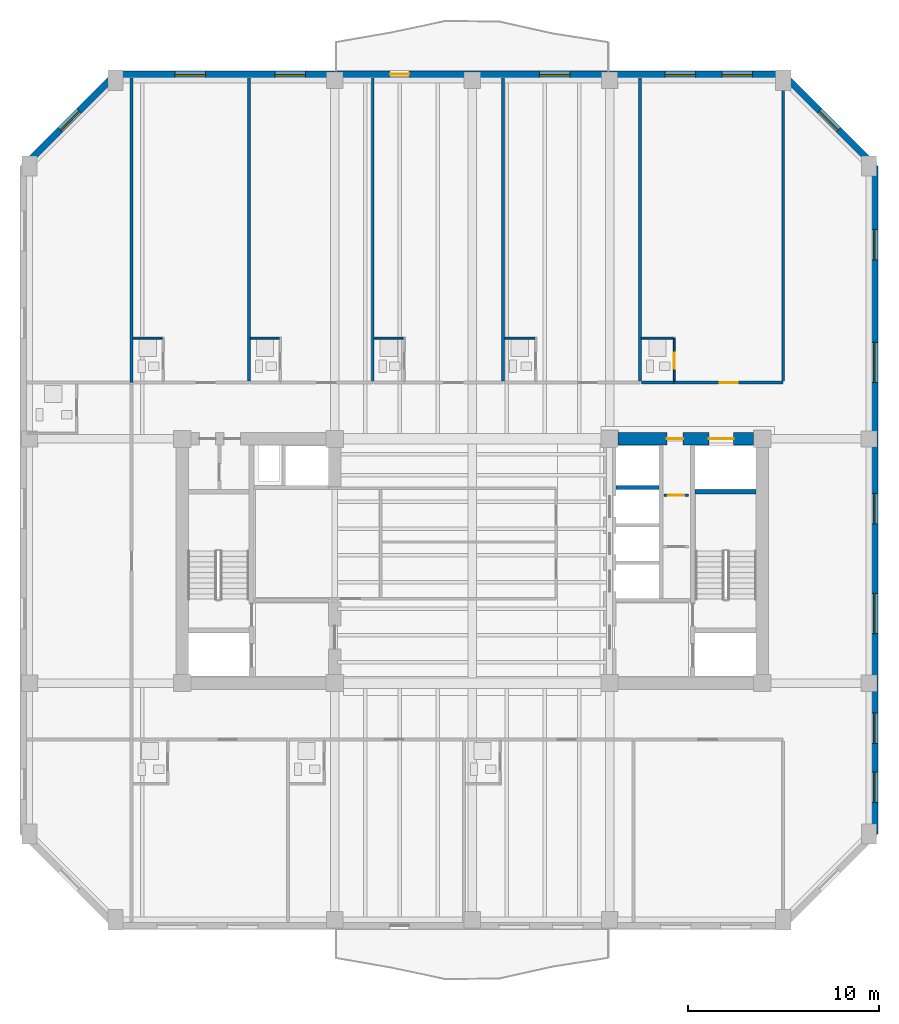
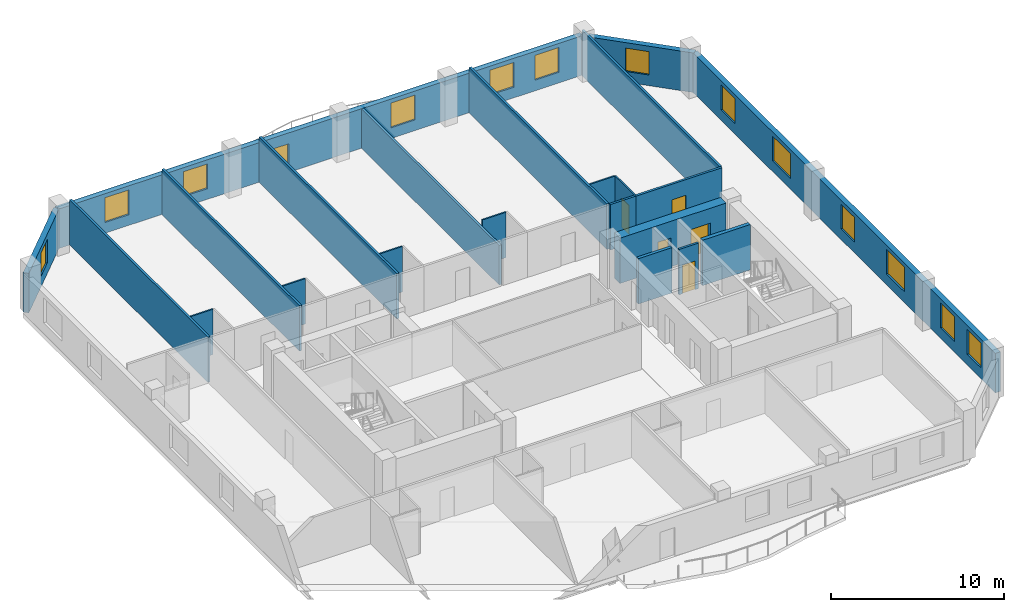
# One storey, part 5 of 10: 22 walls, 13 windows, 6 doors, 19 openings.
"""IFC4 building model written with IfcOpenShell, lengths in metres."""

from ifc_helpers import new_model, si_unit, direction, frame, frame_2d, origin, place, context, subcontext, project, spatial, rectangle, extrude, material, layer, layer_set, type_object, element, fill, save


model = new_model("IFC4")

# Units and contexts
model_context = context("Model", 3, precision=1e-05, world=origin(), true_north=direction((0.0, 1.0)))
body_context = subcontext(model_context, "Body", "Model", "MODEL_VIEW")
ifc_project = project(units=[si_unit("LENGTHUNIT", "METRE"), si_unit("AREAUNIT", "SQUARE_METRE"), si_unit("VOLUMEUNIT", "CUBIC_METRE"), si_unit("PLANEANGLEUNIT", "RADIAN"), si_unit("MASSUNIT", "GRAM", prefix="KILO")], contexts=[model_context])

# Site, building, storey
site_placement = place(None, origin())
site = spatial("IfcSite", under=ifc_project, at=site_placement, CompositionType="ELEMENT")
building_placement = place(site_placement, origin())
building = spatial("IfcBuilding", under=site, at=building_placement, Name="Kranthara Brick Stack", CompositionType="ELEMENT")
storey_placement = place(building_placement, frame((0.0, 0.0, 186.800048828125)))
storey = spatial("IfcBuildingStorey", under=building, at=storey_placement, Name="L48", CompositionType="ELEMENT", Elevation=186.800048828125)

# Wall, opening, window
ifc_material_1 = material(Name="Kiln-fired clay brick masonry M15", Category="masonry")
ifc_layer_1 = layer(ifc_material_1, 0.35009765625)
ifc_layer_set_1 = layer_set([ifc_layer_1], Name="Kiln-fired clay brick masonry M15")
wall_type_1 = type_object("IfcWallType", Name="WL-BRK-SPND-350", PredefinedType="STANDARD", material=ifc_layer_set_1)
wall_1_placement = place(storey_placement, frame((4.4951171875, 47.89990234375, 0.0), z_axis=(0.0, 0.0, 1.0), x_axis=(0.707088817216, 0.7071247447, 0.0)))
wall_1 = element("IfcWall", 1, at=wall_1_placement, inside=storey, type_object=wall_type_1, Name="L48 Exterior Brick Facade Wall NW 1", PredefinedType="STANDARD", context=body_context, shape_type="SweptSolid", body=[
    extrude(rectangle(XDim=6.79541015625, YDim=0.35009765625, at=frame_2d((3.397705078125, 0.0))), origin(), (0.0, 0.0, 1.0), 2.784912109375),
])
opening_1_placement = place(wall_1_placement, frame((2.697998046875, 0.0, 0.75)))
opening_1 = element("IfcOpeningElement", 2, at=opening_1_placement, cuts=wall_1, Name="Opening WN10", PredefinedType="OPENING", context=body_context, shape_type="SweptSolid", body=[
    extrude(rectangle(XDim=1.39990234375, YDim=1.64990234375, at=frame_2d((0.699951171875, 0.824951171875))), frame((0.0, 0.18505859375, 0.0), z_axis=(0.0, -1.0, 0.0), x_axis=(1.0, 0.0, 0.0)), (0.0, 0.0, 1.0), 0.3701171875),
])
ifc_material_2 = material(Name="Double-glazed low-E solar control glass", Category="glass")
window_type_1 = type_object("IfcWindowType", Name="WN-CHM-1400x1750", PartitioningType="SINGLE_PANEL", PredefinedType="WINDOW", material=ifc_material_2)
window_1_placement = place(opening_1_placement, origin())
window_1 = element("IfcWindow", 3, at=window_1_placement, inside=storey, type_object=window_type_1, Name="L48 NW Chamfer Corner Window", OverallHeight=1.64990234375, OverallWidth=1.39990234375, PartitioningType="SINGLE_PANEL", PredefinedType="WINDOW", context=body_context, shape_type="SweptSolid", body=[
    extrude(rectangle(XDim=1.39990234375, YDim=1.64990234375, at=frame_2d((0.699951171875, 0.824951171875))), frame((0.0, -0.010009765625, 0.0), z_axis=(0.0, -1.0, 0.0), x_axis=(1.0, 0.0, 0.0)), (0.0, 0.0, 1.0), 0.06005859375),
])
fill(opening_1, window_1)

# Wall, openings, door, windows
wall_2_placement = place(storey_placement, frame((9.300048828125, 52.705078125, 0.0), z_axis=(0.0, 0.0, 1.0), x_axis=(1.0, 0.0, 0.0)))
wall_2 = element("IfcWall", 4, at=wall_2_placement, inside=storey, type_object=wall_type_1, Name="L48 Exterior Brick Facade Wall NORTH 1", PredefinedType="STANDARD", context=body_context, shape_type="SweptSolid", body=[
    extrude(rectangle(XDim=35.0, YDim=0.35009765625, at=frame_2d((17.5, 0.0))), origin(), (0.0, 0.0, 1.0), 2.784912109375),
])
opening_2_placement = place(wall_2_placement, frame((14.39990234375, 0.0, 0.0)))
opening_2 = element("IfcOpeningElement", 5, at=opening_2_placement, cuts=wall_2, Name="Opening D03", PredefinedType="OPENING", context=body_context, shape_type="SweptSolid", body=[
    extrude(rectangle(XDim=1.0, YDim=2.02001953125, at=frame_2d((0.5, 1.010009765625))), frame((0.0, 0.18505859375, 0.0), z_axis=(0.0, -1.0, 0.0), x_axis=(1.0, 0.0, 0.0)), (0.0, 0.0, 1.0), 0.3701171875),
])
opening_3_placement = place(wall_2_placement, frame((3.123046875, 0.0, 0.75)))
opening_3 = element("IfcOpeningElement", 6, at=opening_3_placement, cuts=wall_2, Name="Opening WN04", PredefinedType="OPENING", context=body_context, shape_type="SweptSolid", body=[
    extrude(rectangle(XDim=1.60009765625, YDim=1.75, at=frame_2d((0.800048828125, 0.875))), frame((0.0, 0.18505859375, 0.0), z_axis=(0.0, -1.0, 0.0), x_axis=(1.0, 0.0, 0.0)), (0.0, 0.0, 1.0), 0.3701171875),
])
opening_4_placement = place(wall_2_placement, frame((8.361083984375, 0.0, 0.75)))
opening_4 = element("IfcOpeningElement", 7, at=opening_4_placement, cuts=wall_2, Name="Opening WN04", PredefinedType="OPENING", context=body_context, shape_type="SweptSolid", body=[
    extrude(rectangle(XDim=1.60009765625, YDim=1.75, at=frame_2d((0.800048828125, 0.875))), frame((0.0, 0.18505859375, 0.0), z_axis=(0.0, -1.0, 0.0), x_axis=(1.0, 0.0, 0.0)), (0.0, 0.0, 1.0), 0.3701171875),
])
opening_5_placement = place(wall_2_placement, frame((22.219970703125, 0.0, 0.75)))
opening_5 = element("IfcOpeningElement", 8, at=opening_5_placement, cuts=wall_2, Name="Opening WN04", PredefinedType="OPENING", context=body_context, shape_type="SweptSolid", body=[
    extrude(rectangle(XDim=1.60009765625, YDim=1.75, at=frame_2d((0.800048828125, 0.875))), frame((0.0, 0.18505859375, 0.0), z_axis=(0.0, -1.0, 0.0), x_axis=(1.0, 0.0, 0.0)), (0.0, 0.0, 1.0), 0.3701171875),
])
opening_6_placement = place(wall_2_placement, frame((28.80908203125, 0.0, 0.75)))
opening_6 = element("IfcOpeningElement", 9, at=opening_6_placement, cuts=wall_2, Name="Opening WN04", PredefinedType="OPENING", context=body_context, shape_type="SweptSolid", body=[
    extrude(rectangle(XDim=1.60009765625, YDim=1.75, at=frame_2d((0.800048828125, 0.875))), frame((0.0, 0.18505859375, 0.0), z_axis=(0.0, -1.0, 0.0), x_axis=(1.0, 0.0, 0.0)), (0.0, 0.0, 1.0), 0.3701171875),
])
opening_7_placement = place(wall_2_placement, frame((31.802978515625, 0.0, 0.75)))
opening_7 = element("IfcOpeningElement", 10, at=opening_7_placement, cuts=wall_2, Name="Opening WN04", PredefinedType="OPENING", context=body_context, shape_type="SweptSolid", body=[
    extrude(rectangle(XDim=1.60009765625, YDim=1.75, at=frame_2d((0.800048828125, 0.875))), frame((0.0, 0.18505859375, 0.0), z_axis=(0.0, -1.0, 0.0), x_axis=(1.0, 0.0, 0.0)), (0.0, 0.0, 1.0), 0.3701171875),
])
ifc_material_3 = material(Name="Bronze anodised aluminium and laminated glass", Category="aluminium")
door_type_1 = type_object("IfcDoorType", Name="DR-BALC-1000", OperationType="NOTDEFINED", PredefinedType="DOOR", material=ifc_material_3)
door_1_placement = place(opening_2_placement, origin())
door_1 = element("IfcDoor", 11, at=door_1_placement, inside=storey, type_object=door_type_1, Name="L48 North Balcony Terrace Door", OperationType="SINGLE_SWING_RIGHT", OverallHeight=2.02001953125, OverallWidth=1.0, PredefinedType="DOOR", context=body_context, shape_type="SweptSolid", body=[
    extrude(rectangle(XDim=1.0, YDim=2.02001953125, at=frame_2d((0.5, 1.010009765625))), frame((0.0, 0.02490234375, 0.0), z_axis=(0.0, -1.0, 0.0), x_axis=(1.0, 0.0, 0.0)), (0.0, 0.0, 1.0), 0.050048828125),
])
fill(opening_2, door_1)
ifc_material_4 = material(Name="Double-glazed low-E solar control glass", Category="glass")
window_type_2 = type_object("IfcWindowType", Name="WN-HTL-1600x1850", PartitioningType="DOUBLE_PANEL_VERTICAL", PredefinedType="WINDOW", material=ifc_material_4)
window_2_placement = place(opening_3_placement, origin())
window_2 = element("IfcWindow", 12, at=window_2_placement, inside=storey, type_object=window_type_2, Name="L48 North Deep-Set Brick Window 01", OverallHeight=1.75, OverallWidth=1.60009765625, PartitioningType="SINGLE_PANEL", PredefinedType="WINDOW", context=body_context, shape_type="SweptSolid", body=[
    extrude(rectangle(XDim=1.60009765625, YDim=1.75, at=frame_2d((0.800048828125, 0.875))), frame((0.0, -0.010009765625, 0.0), z_axis=(0.0, -1.0, 0.0), x_axis=(1.0, 0.0, 0.0)), (0.0, 0.0, 1.0), 0.06005859375),
])
fill(opening_3, window_2)
window_3_placement = place(opening_4_placement, origin())
window_3 = element("IfcWindow", 13, at=window_3_placement, inside=storey, type_object=window_type_2, Name="L48 North Deep-Set Brick Window 02", OverallHeight=1.75, OverallWidth=1.60009765625, PartitioningType="SINGLE_PANEL", PredefinedType="WINDOW", context=body_context, shape_type="SweptSolid", body=[
    extrude(rectangle(XDim=1.60009765625, YDim=1.75, at=frame_2d((0.800048828125, 0.875))), frame((0.0, -0.010009765625, 0.0), z_axis=(0.0, -1.0, 0.0), x_axis=(1.0, 0.0, 0.0)), (0.0, 0.0, 1.0), 0.06005859375),
])
fill(opening_4, window_3)
window_4_placement = place(opening_5_placement, origin())
window_4 = element("IfcWindow", 14, at=window_4_placement, inside=storey, type_object=window_type_2, Name="L48 North Deep-Set Brick Window 03", OverallHeight=1.75, OverallWidth=1.60009765625, PartitioningType="SINGLE_PANEL", PredefinedType="WINDOW", context=body_context, shape_type="SweptSolid", body=[
    extrude(rectangle(XDim=1.60009765625, YDim=1.75, at=frame_2d((0.800048828125, 0.875))), frame((0.0, -0.010009765625, 0.0), z_axis=(0.0, -1.0, 0.0), x_axis=(1.0, 0.0, 0.0)), (0.0, 0.0, 1.0), 0.06005859375),
])
fill(opening_5, window_4)
window_5_placement = place(opening_6_placement, origin())
window_5 = element("IfcWindow", 15, at=window_5_placement, inside=storey, type_object=window_type_2, Name="L48 North Deep-Set Brick Window 04", OverallHeight=1.75, OverallWidth=1.60009765625, PartitioningType="SINGLE_PANEL", PredefinedType="WINDOW", context=body_context, shape_type="SweptSolid", body=[
    extrude(rectangle(XDim=1.60009765625, YDim=1.75, at=frame_2d((0.800048828125, 0.875))), frame((0.0, -0.010009765625, 0.0), z_axis=(0.0, -1.0, 0.0), x_axis=(1.0, 0.0, 0.0)), (0.0, 0.0, 1.0), 0.06005859375),
])
fill(opening_6, window_5)
window_6_placement = place(opening_7_placement, origin())
window_6 = element("IfcWindow", 16, at=window_6_placement, inside=storey, type_object=window_type_2, Name="L48 North Deep-Set Brick Window 05", OverallHeight=1.75, OverallWidth=1.60009765625, PartitioningType="SINGLE_PANEL", PredefinedType="WINDOW", context=body_context, shape_type="SweptSolid", body=[
    extrude(rectangle(XDim=1.60009765625, YDim=1.75, at=frame_2d((0.800048828125, 0.875))), frame((0.0, -0.010009765625, 0.0), z_axis=(0.0, -1.0, 0.0), x_axis=(1.0, 0.0, 0.0)), (0.0, 0.0, 1.0), 0.06005859375),
])
fill(opening_7, window_6)

# Wall, opening, window
wall_3_placement = place(storey_placement, frame((44.300048828125, 52.705078125, 0.0), z_axis=(0.0, 0.0, 1.0), x_axis=(0.707088817216, -0.7071247447, 0.0)))
wall_3 = element("IfcWall", 17, at=wall_3_placement, inside=storey, type_object=wall_type_1, Name="L48 Exterior Brick Facade Wall NE 1", PredefinedType="STANDARD", context=body_context, shape_type="SweptSolid", body=[
    extrude(rectangle(XDim=6.79541015625, YDim=0.35009765625, at=frame_2d((3.397705078125, 0.0))), origin(), (0.0, 0.0, 1.0), 2.784912109375),
])
opening_8_placement = place(wall_3_placement, frame((2.697998046875, 0.0, 0.75)))
opening_8 = element("IfcOpeningElement", 18, at=opening_8_placement, cuts=wall_3, Name="Opening WN10", PredefinedType="OPENING", context=body_context, shape_type="SweptSolid", body=[
    extrude(rectangle(XDim=1.39990234375, YDim=1.64990234375, at=frame_2d((0.699951171875, 0.824951171875))), frame((0.0, 0.18505859375, 0.0), z_axis=(0.0, -1.0, 0.0), x_axis=(1.0, 0.0, 0.0)), (0.0, 0.0, 1.0), 0.3701171875),
])
window_7_placement = place(opening_8_placement, origin())
window_7 = element("IfcWindow", 19, at=window_7_placement, inside=storey, type_object=window_type_1, Name="L48 NE Chamfer Corner Window", OverallHeight=1.64990234375, OverallWidth=1.39990234375, PartitioningType="SINGLE_PANEL", PredefinedType="WINDOW", context=body_context, shape_type="SweptSolid", body=[
    extrude(rectangle(XDim=1.39990234375, YDim=1.64990234375, at=frame_2d((0.699951171875, 0.824951171875))), frame((0.0, -0.010009765625, 0.0), z_axis=(0.0, -1.0, 0.0), x_axis=(1.0, 0.0, 0.0)), (0.0, 0.0, 1.0), 0.06005859375),
])
fill(opening_8, window_7)

# Wall, openings, windows
wall_4_placement = place(storey_placement, frame((49.10498046875, 47.89990234375, 0.0), z_axis=(0.0, 0.0, 1.0), x_axis=(0.0, -1.0, 0.0)))
wall_4 = element("IfcWall", 20, at=wall_4_placement, inside=storey, type_object=wall_type_1, Name="L48 Exterior Brick Facade Wall EAST 1", PredefinedType="STANDARD", context=body_context, shape_type="SweptSolid", body=[
    extrude(rectangle(XDim=35.0, YDim=0.35009765625, at=frame_2d((17.5, 0.0))), origin(), (0.0, 0.0, 1.0), 2.784912109375),
])
opening_9_placement = place(wall_4_placement, frame((3.31591796875, 0.0, 0.75)))
opening_9 = element("IfcOpeningElement", 21, at=opening_9_placement, cuts=wall_4, Name="Opening WN04", PredefinedType="OPENING", context=body_context, shape_type="SweptSolid", body=[
    extrude(rectangle(XDim=1.60009765625, YDim=1.75, at=frame_2d((0.800048828125, 0.875))), frame((0.0, 0.18505859375, 0.0), z_axis=(0.0, -1.0, 0.0), x_axis=(1.0, 0.0, 0.0)), (0.0, 0.0, 1.0), 0.3701171875),
])
opening_10_placement = place(wall_4_placement, frame((9.23388671875, 0.0, 0.75)))
opening_10 = element("IfcOpeningElement", 22, at=opening_10_placement, cuts=wall_4, Name="Opening WN05", PredefinedType="OPENING", context=body_context, shape_type="SweptSolid", body=[
    extrude(rectangle(XDim=2.10009765625, YDim=1.75, at=frame_2d((1.050048828125, 0.875))), frame((0.0, 0.18505859375, 0.0), z_axis=(0.0, -1.0, 0.0), x_axis=(1.0, 0.0, 0.0)), (0.0, 0.0, 1.0), 0.3701171875),
])
opening_11_placement = place(wall_4_placement, frame((17.152099609375, 0.0, 0.75)))
opening_11 = element("IfcOpeningElement", 23, at=opening_11_placement, cuts=wall_4, Name="Opening WN04", PredefinedType="OPENING", context=body_context, shape_type="SweptSolid", body=[
    extrude(rectangle(XDim=1.60009765625, YDim=1.75, at=frame_2d((0.800048828125, 0.875))), frame((0.0, 0.18505859375, 0.0), z_axis=(0.0, -1.0, 0.0), x_axis=(1.0, 0.0, 0.0)), (0.0, 0.0, 1.0), 0.3701171875),
])
opening_12_placement = place(wall_4_placement, frame((22.39794921875, 0.0, 0.75)))
opening_12 = element("IfcOpeningElement", 24, at=opening_12_placement, cuts=wall_4, Name="Opening WN05", PredefinedType="OPENING", context=body_context, shape_type="SweptSolid", body=[
    extrude(rectangle(XDim=2.10009765625, YDim=1.75, at=frame_2d((1.050048828125, 0.875))), frame((0.0, 0.18505859375, 0.0), z_axis=(0.0, -1.0, 0.0), x_axis=(1.0, 0.0, 0.0)), (0.0, 0.0, 1.0), 0.3701171875),
])
opening_13_placement = place(wall_4_placement, frame((28.652099609375, 0.0, 0.75)))
opening_13 = element("IfcOpeningElement", 25, at=opening_13_placement, cuts=wall_4, Name="Opening WN04", PredefinedType="OPENING", context=body_context, shape_type="SweptSolid", body=[
    extrude(rectangle(XDim=1.60009765625, YDim=1.75, at=frame_2d((0.800048828125, 0.875))), frame((0.0, 0.18505859375, 0.0), z_axis=(0.0, -1.0, 0.0), x_axis=(1.0, 0.0, 0.0)), (0.0, 0.0, 1.0), 0.3701171875),
])
opening_14_placement = place(wall_4_placement, frame((31.748046875, 0.0, 0.75)))
opening_14 = element("IfcOpeningElement", 26, at=opening_14_placement, cuts=wall_4, Name="Opening WN04", PredefinedType="OPENING", context=body_context, shape_type="SweptSolid", body=[
    extrude(rectangle(XDim=1.60009765625, YDim=1.75, at=frame_2d((0.800048828125, 0.875))), frame((0.0, 0.18505859375, 0.0), z_axis=(0.0, -1.0, 0.0), x_axis=(1.0, 0.0, 0.0)), (0.0, 0.0, 1.0), 0.3701171875),
])
window_8_placement = place(opening_9_placement, origin())
window_8 = element("IfcWindow", 27, at=window_8_placement, inside=storey, type_object=window_type_2, Name="L48 East Deep-Set Brick Window 01", OverallHeight=1.75, OverallWidth=1.60009765625, PartitioningType="SINGLE_PANEL", PredefinedType="WINDOW", context=body_context, shape_type="SweptSolid", body=[
    extrude(rectangle(XDim=1.60009765625, YDim=1.75, at=frame_2d((0.800048828125, 0.875))), frame((0.0, -0.010009765625, 0.0), z_axis=(0.0, -1.0, 0.0), x_axis=(1.0, 0.0, 0.0)), (0.0, 0.0, 1.0), 0.06005859375),
])
fill(opening_9, window_8)
window_9_placement = place(opening_11_placement, origin())
window_9 = element("IfcWindow", 28, at=window_9_placement, inside=storey, type_object=window_type_2, Name="L48 East Deep-Set Brick Window 03", OverallHeight=1.75, OverallWidth=1.60009765625, PartitioningType="SINGLE_PANEL", PredefinedType="WINDOW", context=body_context, shape_type="SweptSolid", body=[
    extrude(rectangle(XDim=1.60009765625, YDim=1.75, at=frame_2d((0.800048828125, 0.875))), frame((0.0, -0.010009765625, 0.0), z_axis=(0.0, -1.0, 0.0), x_axis=(1.0, 0.0, 0.0)), (0.0, 0.0, 1.0), 0.06005859375),
])
fill(opening_11, window_9)
window_10_placement = place(opening_13_placement, origin())
window_10 = element("IfcWindow", 29, at=window_10_placement, inside=storey, type_object=window_type_2, Name="L48 East Deep-Set Brick Window 05", OverallHeight=1.75, OverallWidth=1.60009765625, PartitioningType="SINGLE_PANEL", PredefinedType="WINDOW", context=body_context, shape_type="SweptSolid", body=[
    extrude(rectangle(XDim=1.60009765625, YDim=1.75, at=frame_2d((0.800048828125, 0.875))), frame((0.0, -0.010009765625, 0.0), z_axis=(0.0, -1.0, 0.0), x_axis=(1.0, 0.0, 0.0)), (0.0, 0.0, 1.0), 0.06005859375),
])
fill(opening_13, window_10)
window_11_placement = place(opening_14_placement, origin())
window_11 = element("IfcWindow", 30, at=window_11_placement, inside=storey, type_object=window_type_2, Name="L48 East Deep-Set Brick Window 06", OverallHeight=1.75, OverallWidth=1.60009765625, PartitioningType="SINGLE_PANEL", PredefinedType="WINDOW", context=body_context, shape_type="SweptSolid", body=[
    extrude(rectangle(XDim=1.60009765625, YDim=1.75, at=frame_2d((0.800048828125, 0.875))), frame((0.0, -0.010009765625, 0.0), z_axis=(0.0, -1.0, 0.0), x_axis=(1.0, 0.0, 0.0)), (0.0, 0.0, 1.0), 0.06005859375),
])
fill(opening_14, window_11)
ifc_material_5 = material(Name="Double-glazed low-E solar control glass", Category="glass")
window_type_3 = type_object("IfcWindowType", Name="WN-HTL-2100x1850", PartitioningType="DOUBLE_PANEL_VERTICAL", PredefinedType="WINDOW", material=ifc_material_5)
window_12_placement = place(opening_10_placement, origin())
window_12 = element("IfcWindow", 31, at=window_12_placement, inside=storey, type_object=window_type_3, Name="L48 East Deep-Set Brick Window 02", OverallHeight=1.75, OverallWidth=2.10009765625, PartitioningType="SINGLE_PANEL", PredefinedType="WINDOW", context=body_context, shape_type="SweptSolid", body=[
    extrude(rectangle(XDim=2.10009765625, YDim=1.75, at=frame_2d((1.050048828125, 0.875))), frame((0.0, -0.010009765625, 0.0), z_axis=(0.0, -1.0, 0.0), x_axis=(1.0, 0.0, 0.0)), (0.0, 0.0, 1.0), 0.06005859375),
])
fill(opening_10, window_12)
window_13_placement = place(opening_12_placement, origin())
window_13 = element("IfcWindow", 32, at=window_13_placement, inside=storey, type_object=window_type_3, Name="L48 East Deep-Set Brick Window 04", OverallHeight=1.75, OverallWidth=2.10009765625, PartitioningType="SINGLE_PANEL", PredefinedType="WINDOW", context=body_context, shape_type="SweptSolid", body=[
    extrude(rectangle(XDim=2.10009765625, YDim=1.75, at=frame_2d((1.050048828125, 0.875))), frame((0.0, -0.010009765625, 0.0), z_axis=(0.0, -1.0, 0.0), x_axis=(1.0, 0.0, 0.0)), (0.0, 0.0, 1.0), 0.06005859375),
])
fill(opening_12, window_13)

# Wall
ifc_material_6 = material(Name="Concrete C50/60", Category="concrete")
ifc_layer_2 = layer(ifc_material_6, 0.25)
ifc_layer_set_2 = layer_set([ifc_layer_2], Name="Concrete C50/60")
wall_type_2 = type_object("IfcWallType", Name="WL-CORE-250", PredefinedType="SHEAR", material=ifc_layer_set_2)
wall_5_placement = place(storey_placement, frame((39.68994140625, 30.830078125, 0.0), z_axis=(0.0, 0.0, 1.0), x_axis=(1.0, 0.0, 0.0)))
element("IfcWall", 33, at=wall_5_placement, inside=storey, type_object=wall_type_2, Name="L48 East Stairwell Bearing Wall EST", PredefinedType="SHEAR", context=body_context, shape_type="SweptSolid", body=[
    extrude(rectangle(XDim=3.175048828125, YDim=0.25, at=frame_2d((1.58740234375, 0.0))), origin(), (0.0, 0.0, 1.0), 3.199951171875),
])

# Wall, openings, doors
ifc_material_7 = material(Name="Concrete C60/75", Category="concrete")
ifc_layer_3 = layer(ifc_material_7, 0.64990234375)
ifc_layer_set_3 = layer_set([ifc_layer_3], Name="Concrete C60/75")
wall_type_3 = type_object("IfcWallType", Name="WL-CORE-650", PredefinedType="SHEAR", material=ifc_layer_set_3)
wall_6_placement = place(storey_placement, frame((35.655029296875, 33.60009765625, 0.0), z_axis=(0.0, 0.0, 1.0), x_axis=(1.0, 0.0, 0.0)))
wall_6 = element("IfcWall", 34, at=wall_6_placement, inside=storey, type_object=wall_type_3, Name="L48 East Core Shear Wall North", PredefinedType="SHEAR", context=body_context, shape_type="SweptSolid", body=[
    extrude(rectangle(XDim=7.090087890625, YDim=0.64990234375, at=frame_2d((3.544921875, 0.0))), origin(), (0.0, 0.0, 1.0), 3.199951171875),
])
opening_15_placement = place(wall_6_placement, frame((4.7451171875, 0.0, 0.0)))
opening_15 = element("IfcOpeningElement", 35, at=opening_15_placement, cuts=wall_6, Name="Opening LD03", PredefinedType="OPENING", context=body_context, shape_type="SweptSolid", body=[
    extrude(rectangle(XDim=1.300048828125, YDim=2.14990234375, at=frame_2d((0.64990234375, 1.074951171875))), frame((0.0, 0.3349609375, 0.0), z_axis=(0.0, -1.0, 0.0), x_axis=(1.0, 0.0, 0.0)), (0.0, 0.0, 1.0), 0.669921875),
])
opening_16_placement = place(wall_6_placement, frame((2.544921875, 0.0, 0.0)))
opening_16 = element("IfcOpeningElement", 36, at=opening_16_placement, cuts=wall_6, Name="Opening D10", PredefinedType="OPENING", context=body_context, shape_type="SweptSolid", body=[
    extrude(rectangle(XDim=0.85009765625, YDim=2.02001953125, at=frame_2d((0.425048828125, 1.010009765625))), frame((0.0, 0.3349609375, 0.0), z_axis=(0.0, -1.0, 0.0), x_axis=(1.0, 0.0, 0.0)), (0.0, 0.0, 1.0), 0.669921875),
])
ifc_material_8 = material(Name="Stainless steel sliding landing door", Category="steel")
door_type_2 = type_object("IfcDoorType", Name="DR-LD-SV1300", OperationType="DOUBLE_DOOR_SLIDING", PredefinedType="DOOR", material=ifc_material_8)
door_2_placement = place(opening_15_placement, origin())
door_2 = element("IfcDoor", 37, at=door_2_placement, inside=storey, type_object=door_type_2, Name="L48 Stretcher Service Lift SV-01 Landing Door", OperationType="DOUBLE_DOOR_SLIDING", OverallHeight=2.14990234375, OverallWidth=1.300048828125, PredefinedType="DOOR", context=body_context, shape_type="SweptSolid", body=[
    extrude(rectangle(XDim=1.300048828125, YDim=2.14990234375, at=frame_2d((0.64990234375, 1.074951171875))), frame((0.0, 0.02490234375, 0.0), z_axis=(0.0, -1.0, 0.0), x_axis=(1.0, 0.0, 0.0)), (0.0, 0.0, 1.0), 0.050048828125),
])
fill(opening_15, door_2)
ifc_material_9 = material(Name="Solid-core hardwood timber leaf in steel frame", Category="steel")
door_type_3 = type_object("IfcDoorType", Name="DR-RSR-850", OperationType="NOTDEFINED", PredefinedType="DOOR", material=ifc_material_9)
door_3_placement = place(opening_16_placement, origin())
door_3 = element("IfcDoor", 38, at=door_3_placement, inside=storey, type_object=door_type_3, Name="L48 East Core Service Room Door", OperationType="SINGLE_SWING_LEFT", OverallHeight=2.02001953125, OverallWidth=0.85009765625, PredefinedType="DOOR", context=body_context, shape_type="SweptSolid", body=[
    extrude(rectangle(XDim=0.85009765625, YDim=2.02001953125, at=frame_2d((0.425048828125, 1.010009765625))), frame((0.0, 0.02490234375, 0.0), z_axis=(0.0, -1.0, 0.0), x_axis=(1.0, 0.0, 0.0)), (0.0, 0.0, 1.0), 0.050048828125),
])
fill(opening_16, door_3)

# Walls
ifc_material_10 = material(Name="Moisture-resistant wet-room partition", Category="other")
ifc_layer_4 = layer(ifc_material_10, 0.10009765625)
ifc_layer_set_4 = layer_set([ifc_layer_4], Name="Moisture-resistant wet-room partition")
wall_type_4 = type_object("IfcWallType", Name="WL-PART-100", PredefinedType="PARTITIONING", material=ifc_layer_set_4)
for number, where, z_axis, x_axis, name in (
    (39, (10.22998046875, 38.8798828125, 0.0), (0.0, 0.0, 1.0), (1.0, 0.0, 0.0), "L48 Interior Partition 031"),
    (40, (16.376953125, 38.8798828125, 0.0), (0.0, 0.0, 1.0), (1.0, 0.0, 0.0), "L48 Interior Partition 036"),
):
    element("IfcWall", number, at=place(storey_placement, frame(where, z_axis=z_axis, x_axis=x_axis)), inside=storey, type_object=wall_type_4, Name=name, PredefinedType="PARTITIONING", context=body_context, shape_type="SweptSolid", body=[
        extrude(rectangle(XDim=1.51513671875, YDim=0.10009765625, at=frame_2d((0.757568359375, 0.0))), origin(), (0.0, 0.0, 1.0), 3.199951171875),
    ])
wall_7_placement = place(storey_placement, frame((22.864990234375, 38.8798828125, 0.0), z_axis=(0.0, 0.0, 1.0), x_axis=(1.0, 0.0, 0.0)))
element("IfcWall", 41, at=wall_7_placement, inside=storey, type_object=wall_type_4, Name="L48 Interior Partition 041", PredefinedType="PARTITIONING", context=body_context, shape_type="SweptSolid", body=[
    extrude(rectangle(XDim=1.514892578125, YDim=0.10009765625, at=frame_2d((0.75732421875, 0.0))), origin(), (0.0, 0.0, 1.0), 3.199951171875),
])
wall_8_placement = place(storey_placement, frame((29.695068359375, 38.8798828125, 0.0), z_axis=(0.0, 0.0, 1.0), x_axis=(1.0, 0.0, 0.0)))
element("IfcWall", 42, at=wall_8_placement, inside=storey, type_object=wall_type_4, Name="L48 Interior Partition 046", PredefinedType="PARTITIONING", context=body_context, shape_type="SweptSolid", body=[
    extrude(rectangle(XDim=1.586181640625, YDim=0.10009765625, at=frame_2d((0.79296875, 0.0))), origin(), (0.0, 0.0, 1.0), 3.199951171875),
])

# Wall, opening, door
wall_9_placement = place(storey_placement, frame((38.590087890625, 36.6298828125, 0.0), z_axis=(0.0, 0.0, 1.0), x_axis=(0.0, 1.0, 0.0)))
wall_9 = element("IfcWall", 43, at=wall_9_placement, inside=storey, type_object=wall_type_4, Name="L48 Interior Partition 050", PredefinedType="PARTITIONING", context=body_context, shape_type="SweptSolid", body=[
    extrude(rectangle(XDim=2.25, YDim=0.10009765625, at=frame_2d((1.125, 0.0))), origin(), (0.0, 0.0, 1.0), 3.199951171875),
])
opening_17_placement = place(wall_9_placement, frame((0.639892578125, 0.0, 0.0)))
opening_17 = element("IfcOpeningElement", 44, at=opening_17_placement, cuts=wall_9, Name="Opening D17", PredefinedType="OPENING", context=body_context, shape_type="SweptSolid", body=[
    extrude(rectangle(XDim=0.85009765625, YDim=2.050048828125, at=frame_2d((0.425048828125, 1.02490234375))), frame((0.0, 0.06005859375, 0.0), z_axis=(0.0, -1.0, 0.0), x_axis=(1.0, 0.0, 0.0)), (0.0, 0.0, 1.0), 0.1201171875),
])
ifc_material_11 = material(Name="Solid-core hardwood timber leaf in steel frame", Category="steel")
door_type_4 = type_object("IfcDoorType", Name="DR-WET-850", OperationType="NOTDEFINED", PredefinedType="DOOR", material=ifc_material_11)
door_4_placement = place(opening_17_placement, origin())
door_4 = element("IfcDoor", 45, at=door_4_placement, inside=storey, type_object=door_type_4, Name="L48 Key 09 En-Suite Door 22", OperationType="SINGLE_SWING_RIGHT", OverallHeight=2.050048828125, OverallWidth=0.85009765625, PredefinedType="DOOR", context=body_context, shape_type="SweptSolid", body=[
    extrude(rectangle(XDim=0.85009765625, YDim=2.050048828125, at=frame_2d((0.425048828125, 1.02490234375))), frame((0.0, 0.02490234375, 0.0), z_axis=(0.0, -1.0, 0.0), x_axis=(1.0, 0.0, 0.0)), (0.0, 0.0, 1.0), 0.050048828125),
])
fill(opening_17, door_4)

# Wall
wall_10_placement = place(storey_placement, frame((36.866943359375, 38.8798828125, 0.0), z_axis=(0.0, 0.0, 1.0), x_axis=(1.0, 0.0, 0.0)))
element("IfcWall", 46, at=wall_10_placement, inside=storey, type_object=wall_type_4, Name="L48 Interior Partition 051", PredefinedType="PARTITIONING", context=body_context, shape_type="SweptSolid", body=[
    extrude(rectangle(XDim=1.668212890625, YDim=0.10009765625, at=frame_2d((0.833984375, 0.0))), origin(), (0.0, 0.0, 1.0), 3.199951171875),
])

# Wall, opening, door
ifc_material_12 = material(Name="Fire-rated gypsum board partition", Category="other")
ifc_layer_5 = layer(ifc_material_12, 0.14990234375)
ifc_layer_set_5 = layer_set([ifc_layer_5], Name="Fire-rated gypsum board partition")
wall_type_5 = type_object("IfcWallType", Name="WL-PART-150", PredefinedType="PARTITIONING", material=ifc_layer_set_5)
wall_11_placement = place(storey_placement, frame((38.050048828125, 30.64990234375, 0.0), z_axis=(0.0, 0.0, 1.0), x_axis=(1.0, 0.0, 0.0)))
wall_11 = element("IfcWall", 47, at=wall_11_placement, inside=storey, type_object=wall_type_5, Name="L48 Interior Partition 003", PredefinedType="PARTITIONING", context=body_context, shape_type="SweptSolid", body=[
    extrude(rectangle(XDim=1.300048828125, YDim=0.14990234375, at=frame_2d((0.64990234375, 0.0))), origin(), (0.0, 0.0, 1.0), 3.199951171875),
])
opening_18_placement = place(wall_11_placement, frame((0.219970703125, 0.0, 0.0)))
opening_18 = element("IfcOpeningElement", 48, at=opening_18_placement, cuts=wall_11, Name="Opening D10", PredefinedType="OPENING", context=body_context, shape_type="SweptSolid", body=[
    extrude(rectangle(XDim=0.85009765625, YDim=2.02001953125, at=frame_2d((0.425048828125, 1.010009765625))), frame((0.0, 0.0849609375, 0.0), z_axis=(0.0, -1.0, 0.0), x_axis=(1.0, 0.0, 0.0)), (0.0, 0.0, 1.0), 0.169921875),
])
door_5_placement = place(opening_18_placement, origin())
door_5 = element("IfcDoor", 49, at=door_5_placement, inside=storey, type_object=door_type_3, Name="L48 Riser Door 2 03", OperationType="SINGLE_SWING_LEFT", OverallHeight=2.02001953125, OverallWidth=0.85009765625, PredefinedType="DOOR", context=body_context, shape_type="SweptSolid", body=[
    extrude(rectangle(XDim=0.85009765625, YDim=2.02001953125, at=frame_2d((0.425048828125, 1.010009765625))), frame((0.0, 0.02490234375, 0.0), z_axis=(0.0, -1.0, 0.0), x_axis=(1.0, 0.0, 0.0)), (0.0, 0.0, 1.0), 0.050048828125),
])
fill(opening_18, door_5)

# Walls
wall_12_placement = place(storey_placement, frame((10.14990234375, 36.550048828125, 0.0), z_axis=(0.0, 0.0, 1.0), x_axis=(0.0, 1.0, 0.0)))
element("IfcWall", 50, at=wall_12_placement, inside=storey, type_object=wall_type_5, Name="L48 Interior Partition 027", PredefinedType="PARTITIONING", context=body_context, shape_type="SweptSolid", body=[
    extrude(rectangle(XDim=15.974853515625, YDim=0.14990234375, at=frame_2d((7.9873046875, 0.0))), origin(), (0.0, 0.0, 1.0), 3.199951171875),
])
for number, where, z_axis, x_axis, name in (
    (51, (16.297119140625, 36.6298828125, 0.0), (0.0, 0.0, 1.0), (0.0, 1.0, 0.0), "L48 Interior Partition 032"),
    (52, (22.784912109375, 36.6298828125, 0.0), (0.0, 0.0, 1.0), (0.0, 1.0, 0.0), "L48 Interior Partition 037"),
):
    element("IfcWall", number, at=place(storey_placement, frame(where, z_axis=z_axis, x_axis=x_axis)), inside=storey, type_object=wall_type_5, Name=name, PredefinedType="PARTITIONING", context=body_context, shape_type="SweptSolid", body=[
        extrude(rectangle(XDim=15.89501953125, YDim=0.14990234375, at=frame_2d((7.947509765625, 0.0))), origin(), (0.0, 0.0, 1.0), 3.199951171875),
    ])
wall_13_placement = place(storey_placement, frame((29.614990234375, 36.6298828125, 0.0), z_axis=(0.0, 0.0, 1.0), x_axis=(0.0, 1.0, 0.0)))
element("IfcWall", 53, at=wall_13_placement, inside=storey, type_object=wall_type_5, Name="L48 Interior Partition 042", PredefinedType="PARTITIONING", context=body_context, shape_type="SweptSolid", body=[
    extrude(rectangle(XDim=15.89501953125, YDim=0.14990234375, at=frame_2d((7.947509765625, 0.0))), origin(), (0.0, 0.0, 1.0), 2.784912109375),
])
wall_14_placement = place(storey_placement, frame((36.787109375, 36.6298828125, 0.0), z_axis=(0.0, 0.0, 1.0), x_axis=(0.0, 1.0, 0.0)))
element("IfcWall", 54, at=wall_14_placement, inside=storey, type_object=wall_type_5, Name="L48 Interior Partition 047", PredefinedType="PARTITIONING", context=body_context, shape_type="SweptSolid", body=[
    extrude(rectangle(XDim=15.89501953125, YDim=0.14990234375, at=frame_2d((7.947509765625, 0.0))), origin(), (0.0, 0.0, 1.0), 3.199951171875),
])
wall_15_placement = place(storey_placement, frame((36.866943359375, 36.550048828125, 0.0), z_axis=(0.0, 0.0, 1.0), x_axis=(1.0, 0.0, 0.0)))
element("IfcWall", 55, at=wall_15_placement, inside=storey, type_object=wall_type_5, Name="L48 Interior Partition 048", PredefinedType="PARTITIONING", context=body_context, shape_type="SweptSolid", body=[
    extrude(rectangle(XDim=1.72314453125, YDim=0.14990234375, at=frame_2d((0.861572265625, 0.0))), origin(), (0.0, 0.0, 1.0), 3.199951171875),
])

# Wall, opening, door
wall_16_placement = place(storey_placement, frame((38.590087890625, 36.550048828125, 0.0), z_axis=(0.0, 0.0, 1.0), x_axis=(1.0, 0.0, 0.0)))
wall_16 = element("IfcWall", 56, at=wall_16_placement, inside=storey, type_object=wall_type_5, Name="L48 Interior Partition 049", PredefinedType="PARTITIONING", context=body_context, shape_type="SweptSolid", body=[
    extrude(rectangle(XDim=5.7099609375, YDim=0.14990234375, at=frame_2d((2.85498046875, 0.0))), origin(), (0.0, 0.0, 1.0), 3.199951171875),
])
opening_19_placement = place(wall_16_placement, frame((2.375, 0.0, 0.0)))
opening_19 = element("IfcOpeningElement", 57, at=opening_19_placement, cuts=wall_16, Name="Opening D09", PredefinedType="OPENING", context=body_context, shape_type="SweptSolid", body=[
    extrude(rectangle(XDim=0.949951171875, YDim=2.10009765625, at=frame_2d((0.47509765625, 1.050048828125))), frame((0.0, 0.0849609375, 0.0), z_axis=(0.0, -1.0, 0.0), x_axis=(1.0, 0.0, 0.0)), (0.0, 0.0, 1.0), 0.169921875),
])
ifc_material_13 = material(Name="Solid-core hardwood timber leaf in steel frame", Category="steel")
door_type_5 = type_object("IfcDoorType", Name="DR-FD-950", OperationType="NOTDEFINED", PredefinedType="DOOR", material=ifc_material_13)
door_6_placement = place(opening_19_placement, origin())
door_6 = element("IfcDoor", 58, at=door_6_placement, inside=storey, type_object=door_type_5, Name="L48 Key 09 Entry 23", OperationType="SINGLE_SWING_LEFT", OverallHeight=2.10009765625, OverallWidth=0.949951171875, PredefinedType="DOOR", context=body_context, shape_type="SweptSolid", body=[
    extrude(rectangle(XDim=0.949951171875, YDim=2.10009765625, at=frame_2d((0.47509765625, 1.050048828125))), frame((0.0, 0.02490234375, 0.0), z_axis=(0.0, -1.0, 0.0), x_axis=(1.0, 0.0, 0.0)), (0.0, 0.0, 1.0), 0.050048828125),
])
fill(opening_19, door_6)

# Walls
wall_17_placement = place(storey_placement, frame((44.300048828125, 36.6298828125, 0.0), z_axis=(0.0, 0.0, 1.0), x_axis=(0.0, 1.0, 0.0)))
element("IfcWall", 59, at=wall_17_placement, inside=storey, type_object=wall_type_5, Name="L48 Interior Partition 052", PredefinedType="PARTITIONING", context=body_context, shape_type="SweptSolid", body=[
    extrude(rectangle(XDim=15.89501953125, YDim=0.14990234375, at=frame_2d((7.947509765625, 0.0))), origin(), (0.0, 0.0, 1.0), 3.199951171875),
])
ifc_material_14 = material(Name="Concrete C40/50", Category="concrete")
ifc_layer_6 = layer(ifc_material_14, 0.199951171875)
ifc_layer_set_6 = layer_set([ifc_layer_6], Name="Concrete C40/50")
wall_type_6 = type_object("IfcWallType", Name="WL-PART-200", PredefinedType="SOLIDWALL", material=ifc_layer_set_6)
wall_18_placement = place(storey_placement, frame((35.550048828125, 31.050048828125, 0.0), z_axis=(0.0, 0.0, 1.0), x_axis=(1.0, 0.0, 0.0)))
element("IfcWall", 60, at=wall_18_placement, inside=storey, type_object=wall_type_6, Name="L48 East Core Cross Wall EE4", PredefinedType="SOLIDWALL", context=body_context, shape_type="SweptSolid", body=[
    extrude(rectangle(XDim=2.25, YDim=0.199951171875, at=frame_2d((1.125, 0.0))), origin(), (0.0, 0.0, 1.0), 3.199951171875),
])

save(model, "model.ifc")
